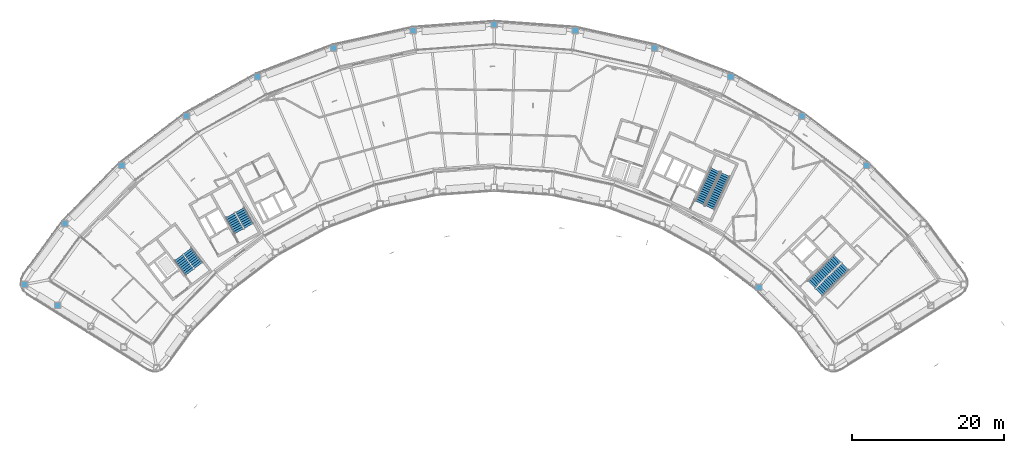
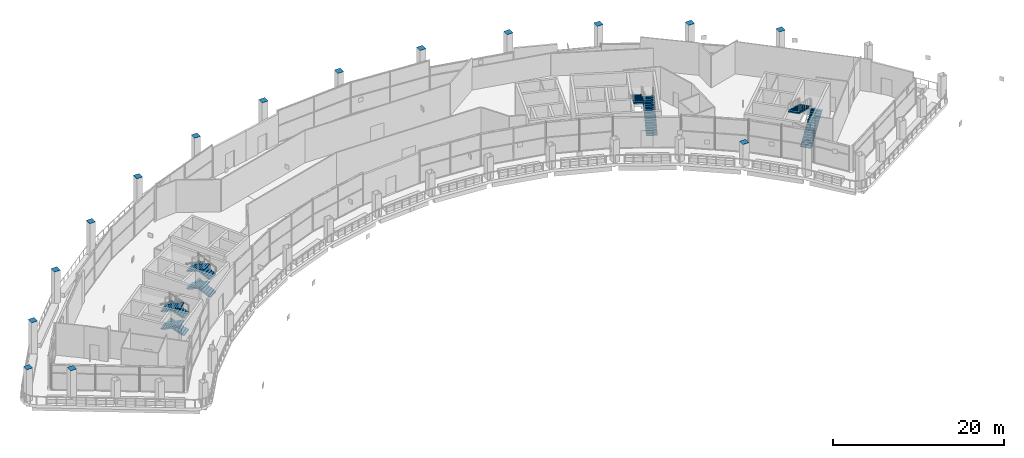
# One storey, part 20 of 29: 15 discrete accessories, 12 stair flights, 4 elements without a shape of their own.
"""IFC4 building model written with IfcOpenShell, lengths in metres."""

import ifcopenshell
import ifcopenshell.guid

model = None  # the IFC model being written
_history = None  # IfcOwnerHistory: only IFC2X3 demands one
_inside = {}  # id of a spatial element -> (the spatial element, [elements in it])
_under = {}  # id of a project, library or spatial element -> (it, [spatial elements below it])
_declared = {}  # id of a project -> (the project, [libraries it declares])
_typed = {}  # id of a type object -> (the type object, [elements of that type])
_made_of = {}  # id of a material, layer set ... -> (it, [elements and type objects made of it])


def new_model(schema):
    """Start an empty IFC model of exactly this schema.

    Asked for "IFC4X3", IfcOpenShell would pick the latest addendum, in which some entities
    have other attributes; the version numbers below select the first issue.
    IFC2X3 requires an IfcOwnerHistory on every rooted entity: one is made here for all.
    """
    global model, _history
    if schema == "IFC4X3":
        model = ifcopenshell.file(schema_version=(4, 3, 0, 0))
    else:
        model = ifcopenshell.file(schema=schema)
    _inside.clear()
    _under.clear()
    _declared.clear()
    _typed.clear()
    _made_of.clear()
    _history = None
    if model.schema == "IFC2X3":
        org = make("IfcOrganization", Name="unknown")
        user = make(
            "IfcPersonAndOrganization",
            ThePerson=make("IfcPerson", FamilyName="unknown"),
            TheOrganization=org,
        )
        app = make(
            "IfcApplication",
            ApplicationDeveloper=org,
            Version="unknown",
            ApplicationFullName="unknown",
            ApplicationIdentifier="unknown",
        )
        _history = make(
            "IfcOwnerHistory",
            OwningUser=user,
            OwningApplication=app,
            ChangeAction="ADDED",
            CreationDate=0,
        )
    return model


def make(cls, **values):
    """One entity of the class cls with the attributes given. An attribute that is None is left unset."""
    return model.create_entity(
        cls, **{name: value for name, value in values.items() if value is not None}
    )


def rooted(cls, **values):
    """An entity with a GlobalId (a new one), such as an element, a storey or a relation."""
    return make(cls, GlobalId=ifcopenshell.guid.new(), OwnerHistory=_history, **values)


def si_unit(unit_type, name, prefix=None):
    """IfcSIUnit, for example si_unit("LENGTHUNIT", "METRE", prefix="MILLI")."""
    return make("IfcSIUnit", UnitType=unit_type, Prefix=prefix, Name=name)


def assignment(units):
    """IfcUnitAssignment: the units of a project."""
    return None if units is None else make("IfcUnitAssignment", Units=units)


def point(xyz):
    """IfcCartesianPoint."""
    return None if xyz is None else make("IfcCartesianPoint", Coordinates=xyz)


def direction(xyz):
    """IfcDirection."""
    return None if xyz is None else make("IfcDirection", DirectionRatios=xyz)


def frame(location, z_axis=None, x_axis=None):
    """IfcAxis2Placement3D, a coordinate frame: its origin and axes. An axis left out is left unset."""
    return make(
        "IfcAxis2Placement3D",
        Location=point(location),
        Axis=direction(z_axis),
        RefDirection=direction(x_axis),
    )


def frame_2d(location, x_axis=None):
    """IfcAxis2Placement2D, a coordinate frame in the plane: its origin and x axis."""
    return make(
        "IfcAxis2Placement2D", Location=point(location), RefDirection=direction(x_axis)
    )


def origin():
    """The frame at (0, 0, 0) with its axes left unset."""
    return frame((0.0, 0.0, 0.0))


def origin_2d():
    """The frame at (0, 0) in the plane with its x axis left unset."""
    return frame_2d((0.0, 0.0))


def place(relative_to, where):
    """IfcLocalPlacement: puts the frame where relative to a parent placement (None: the world)."""
    return make(
        "IfcLocalPlacement", PlacementRelTo=relative_to, RelativePlacement=where
    )


def context(
    kind, dimensions, precision=None, world=None, true_north=None, identifier=None
):
    """IfcGeometricRepresentationContext, for example the 3D "Model" context."""
    return make(
        "IfcGeometricRepresentationContext",
        ContextIdentifier=identifier,
        ContextType=kind,
        CoordinateSpaceDimension=dimensions,
        Precision=precision,
        WorldCoordinateSystem=world,
        TrueNorth=true_north,
    )


def subcontext(parent, identifier, kind, view, scale=None):
    """IfcGeometricRepresentationSubContext, for example "Body" below "Model"."""
    return make(
        "IfcGeometricRepresentationSubContext",
        ContextIdentifier=identifier,
        ContextType=kind,
        ParentContext=parent,
        TargetScale=scale,
        TargetView=view,
    )


def project(units=None, contexts=None):
    """IfcProject with its units and contexts."""
    return rooted(
        "IfcProject",
        Name="project",
        RepresentationContexts=contexts,
        UnitsInContext=assignment(units),
    )


def spatial(cls, under=None, at=None, **own):
    """A site, building, storey or space (cls), placed at a placement, below another one or the project."""
    s = rooted(cls, ObjectPlacement=at, **own)
    if under is not None:
        _under.setdefault(under.id(), (under, []))[1].append(s)
    return s


def polyline(points):
    """IfcPolyline through the points."""
    return make("IfcPolyline", Points=[point(p) for p in points])


def profile(cls, at=None, kind="AREA", **sizes):
    """A parametric profile (cls). Its sizes go by their IFC names, for example OverallWidth=200.0."""
    return make(cls, ProfileType=kind, Position=at, **sizes)


def rectangle(**sizes):
    """IfcRectangleProfileDef."""
    return profile("IfcRectangleProfileDef", **sizes)


def outline(outer, holes=None, kind="AREA"):
    """IfcArbitraryClosedProfileDef: a profile drawn as a closed curve; with holes, ...WithVoids."""
    if holes is None:
        return make("IfcArbitraryClosedProfileDef", ProfileType=kind, OuterCurve=outer)
    return make(
        "IfcArbitraryProfileDefWithVoids",
        ProfileType=kind,
        OuterCurve=outer,
        InnerCurves=holes,
    )


def extrude(swept, where, along, depth):
    """IfcExtrudedAreaSolid: the profile swept, set in the frame where, extruded along a direction by depth."""
    return make(
        "IfcExtrudedAreaSolid",
        SweptArea=swept,
        Position=where,
        ExtrudedDirection=direction(along),
        Depth=depth,
    )


def shape(context_of_items, identifier, shape_type, items):
    """IfcShapeRepresentation: the items that make up one representation, for example the "Body"."""
    return make(
        "IfcShapeRepresentation",
        ContextOfItems=context_of_items,
        RepresentationIdentifier=identifier,
        RepresentationType=shape_type,
        Items=items,
    )


def material(Name=None, Category=None):
    """IfcMaterial."""
    return make("IfcMaterial", Name=Name, Category=Category)


def made_of(thing, what):
    """Note that an element or type object is made of a material, layer set ...; save() writes the relation."""
    if what is not None:
        _made_of.setdefault(what.id(), (what, []))[1].append(thing)
    return thing


def type_object(cls, material=None, **own):
    """A type object (cls), such as IfcWallType, which elements share."""
    return made_of(rooted(cls, **own), material)


def element(
    cls,
    number,
    at=None,
    inside=None,
    cuts=None,
    type_object=None,
    material=None,
    context=None,
    identifier="Body",
    shape_type=None,
    held_by="IfcProductDefinitionShape",
    body=None,
    shapes=None,
    **own,
):
    """One element of the class cls, such as IfcWall. Its Tag is "e" and its number.

    at: its placement. inside: the storey or other place that contains it. cuts: it is an
    opening in that element (IfcRelVoidsElement). A single representation is given by context,
    identifier, shape_type and body (its items); several are given by shapes. held_by: the class
    of the entity that holds the representations. save() writes the other relations.
    """
    e = rooted(cls, Tag="e%d" % number, ObjectPlacement=at, **own)
    if body is not None:
        shapes = [shape(context, identifier, shape_type, body)]
    if shapes is not None:
        e.Representation = make(held_by, Representations=shapes)
    if inside is not None:
        _inside.setdefault(inside.id(), (inside, []))[1].append(e)
    if cuts is not None:
        rooted(
            "IfcRelVoidsElement", RelatingBuildingElement=cuts, RelatedOpeningElement=e
        )
    if type_object is not None:
        _typed.setdefault(type_object.id(), (type_object, []))[1].append(e)
    return made_of(e, material)


def aggregate(whole, parts):
    """IfcRelAggregates: a whole, such as a stair, and the parts it consists of."""
    return rooted("IfcRelAggregates", RelatingObject=whole, RelatedObjects=parts)


def save(model, path):
    """Write the relations noted so far, then the file.

    IfcRelAggregates (storeys below a building ...), IfcRelContainedInSpatialStructure (elements
    in a storey), IfcRelDefinesByType, IfcRelAssociatesMaterial and IfcRelDeclares: one each for
    every whole, place, type object, material and project.
    """
    for whole, parts in _under.values():
        aggregate(whole, parts)
    for where, things in _inside.values():
        rooted(
            "IfcRelContainedInSpatialStructure",
            RelatedElements=things,
            RelatingStructure=where,
        )
    for kind, things in _typed.values():
        rooted("IfcRelDefinesByType", RelatedObjects=things, RelatingType=kind)
    for what, things in _made_of.values():
        rooted("IfcRelAssociatesMaterial", RelatedObjects=things, RelatingMaterial=what)
    for by, libraries in _declared.values():
        rooted("IfcRelDeclares", RelatingContext=by, RelatedDefinitions=libraries)
    model.write(path)


model = new_model("IFC4")

# Units and contexts
model_context = context("Model", 3, precision=1e-05, world=origin(), true_north=direction((0.0, 1.0)))
body_context = subcontext(model_context, "Body", "Model", "MODEL_VIEW")
ifc_project = project(units=[si_unit("LENGTHUNIT", "METRE"), si_unit("AREAUNIT", "SQUARE_METRE"), si_unit("VOLUMEUNIT", "CUBIC_METRE"), si_unit("PLANEANGLEUNIT", "RADIAN"), si_unit("MASSUNIT", "GRAM", prefix="KILO")], contexts=[model_context])

# Site, building, storey
site_placement = place(None, origin())
site = spatial("IfcSite", under=ifc_project, at=site_placement, CompositionType="ELEMENT")
building_placement = place(site_placement, origin())
building = spatial("IfcBuilding", under=site, at=building_placement, Name="Tuul Gate Civic Tower", CompositionType="ELEMENT")
storey_placement = place(building_placement, frame((0.0, 0.0, 238.89990234375)))
storey = spatial("IfcBuildingStorey", under=building, at=storey_placement, Name="Sky garden level 2", CompositionType="ELEMENT", Elevation=238.89990234375)

# Stair, stair flights
ifc_material_1 = material(Name="Concrete C40/50", Category="concrete")
stair_type = type_object("IfcStairType", Name="Exit stair", PredefinedType="HALF_TURN_STAIR", material=ifc_material_1)
stair_1_placement = place(storey_placement, origin())
stair_1 = element("IfcStair", 1, at=stair_1_placement, inside=storey, type_object=stair_type, Name="Sky garden level 2 ST-1", PredefinedType="HALF_TURN_STAIR")
ifc_material_2 = material(Name="Concrete C40/50", Category="concrete")
stair_flight_type = type_object("IfcStairFlightType", Name="Exit stair flight", PredefinedType="STRAIGHT", material=ifc_material_2)
stair_flight_1_placement = place(storey_placement, frame((-32.875244140625, -13.066650390625, 0.0), z_axis=(0.0, 0.0, 1.0), x_axis=(-0.605764474941, 0.795644016442, 0.0)))
stair_flight_1 = element("IfcStairFlight", 2, at=stair_flight_1_placement, type_object=stair_flight_type, Name="ST-1 flight 1", NumberOfRisers=9, NumberOfTreads=8, PredefinedType="STRAIGHT", RiserHeight=0.138888889, TreadLength=0.3, context=body_context, shape_type="SweptSolid", body=[
    extrude(outline(polyline([(0.0, 0.0), (0.0, 0.138916015625), (0.300048828125, 0.138916015625), (0.300048828125, 0.27783203125), (0.60009765625, 0.27783203125), (0.60009765625, 0.416748046875), (0.89990234375, 0.416748046875), (0.89990234375, 0.5556640625), (1.199951171875, 0.5556640625), (1.199951171875, 0.6943359375), (1.5, 0.6943359375), (1.5, 0.833251953125), (1.800048828125, 0.833251953125), (1.800048828125, 0.97216796875), (2.10009765625, 0.97216796875), (2.10009765625, 1.111083984375), (2.39990234375, 1.111083984375), (2.39990234375, 1.25), (2.39990234375, 0.946044921875), (0.356689453125, 0.0), (0.0, 0.0)])), frame((0.0, 0.675048828125, 0.0), z_axis=(0.0, -1.0, 0.0), x_axis=(1.0, 0.0, 0.0)), (0.0, 0.0, 1.0), 1.35009765625),
])
stair_flight_2_placement = place(storey_placement, frame((-35.482666015625, -12.03564453125, 1.25), z_axis=(0.0, 0.0, 1.0), x_axis=(0.605764474941, -0.795644016442, 0.0)))
stair_flight_2 = element("IfcStairFlight", 3, at=stair_flight_2_placement, type_object=stair_flight_type, Name="ST-1 flight 2", NumberOfRisers=9, NumberOfTreads=8, PredefinedType="STRAIGHT", RiserHeight=0.138888889, TreadLength=0.3, context=body_context, shape_type="SweptSolid", body=[
    extrude(outline(polyline([(0.0, 0.0), (0.0, 0.138916015625), (0.300048828125, 0.138916015625), (0.300048828125, 0.27783203125), (0.60009765625, 0.27783203125), (0.60009765625, 0.416748046875), (0.89990234375, 0.416748046875), (0.89990234375, 0.5556640625), (1.199951171875, 0.5556640625), (1.199951171875, 0.6943359375), (1.5, 0.6943359375), (1.5, 0.833251953125), (1.800048828125, 0.833251953125), (1.800048828125, 0.97216796875), (2.10009765625, 0.97216796875), (2.10009765625, 1.111083984375), (2.39990234375, 1.111083984375), (2.39990234375, 1.25), (2.39990234375, 0.946044921875), (0.356689453125, 0.0), (0.0, 0.0)])), frame((0.0, 0.675048828125, 0.0), z_axis=(0.0, -1.0, 0.0), x_axis=(1.0, 0.0, 0.0)), (0.0, 0.0, 1.0), 1.35009765625),
])
stair_flight_3_placement = place(storey_placement, frame((-32.875244140625, -13.066650390625, 2.5), z_axis=(0.0, 0.0, 1.0), x_axis=(-0.605764474941, 0.795644016442, 0.0)))
stair_flight_3 = element("IfcStairFlight", 4, at=stair_flight_3_placement, type_object=stair_flight_type, Name="ST-1 flight 3", NumberOfRisers=9, NumberOfTreads=8, PredefinedType="STRAIGHT", RiserHeight=0.138888889, TreadLength=0.3, context=body_context, shape_type="SweptSolid", body=[
    extrude(outline(polyline([(0.0, 0.0), (0.0, 0.138916015625), (0.300048828125, 0.138916015625), (0.300048828125, 0.27783203125), (0.60009765625, 0.27783203125), (0.60009765625, 0.416748046875), (0.89990234375, 0.416748046875), (0.89990234375, 0.5556640625), (1.199951171875, 0.5556640625), (1.199951171875, 0.6943359375), (1.5, 0.6943359375), (1.5, 0.833251953125), (1.800048828125, 0.833251953125), (1.800048828125, 0.97216796875), (2.10009765625, 0.97216796875), (2.10009765625, 1.111083984375), (2.39990234375, 1.111083984375), (2.39990234375, 1.25), (2.39990234375, 0.946044921875), (0.356689453125, 0.0), (0.0, 0.0)])), frame((0.0, 0.675048828125, 0.0), z_axis=(0.0, -1.0, 0.0), x_axis=(1.0, 0.0, 0.0)), (0.0, 0.0, 1.0), 1.35009765625),
])
stair_flight_4_placement = place(storey_placement, frame((-35.482666015625, -12.03564453125, 3.75), z_axis=(0.0, 0.0, 1.0), x_axis=(0.605764474941, -0.795644016442, 0.0)))
stair_flight_4 = element("IfcStairFlight", 5, at=stair_flight_4_placement, type_object=stair_flight_type, Name="ST-1 flight 4", NumberOfRisers=9, NumberOfTreads=8, PredefinedType="STRAIGHT", RiserHeight=0.138888889, TreadLength=0.3, context=body_context, shape_type="SweptSolid", body=[
    extrude(outline(polyline([(0.0, 0.0), (0.0, 0.138916015625), (0.300048828125, 0.138916015625), (0.300048828125, 0.27783203125), (0.60009765625, 0.27783203125), (0.60009765625, 0.416748046875), (0.89990234375, 0.416748046875), (0.89990234375, 0.5556640625), (1.199951171875, 0.5556640625), (1.199951171875, 0.6943359375), (1.5, 0.6943359375), (1.5, 0.833251953125), (1.800048828125, 0.833251953125), (1.800048828125, 0.97216796875), (2.10009765625, 0.97216796875), (2.10009765625, 1.111083984375), (2.39990234375, 1.111083984375), (2.39990234375, 1.25), (2.39990234375, 0.946044921875), (0.356689453125, 0.0), (0.0, 0.0)])), frame((0.0, 0.675048828125, 0.0), z_axis=(0.0, -1.0, 0.0), x_axis=(1.0, 0.0, 0.0)), (0.0, 0.0, 1.0), 1.35009765625),
])
aggregate(stair_1, [stair_flight_1, stair_flight_2, stair_flight_3, stair_flight_4])

stair_2_placement = place(storey_placement, origin())
stair_2 = element("IfcStair", 6, at=stair_2_placement, inside=storey, type_object=stair_type, Name="Sky garden level 2 ST-2", PredefinedType="HALF_TURN_STAIR")
stair_flight_5_placement = place(storey_placement, frame((-26.29150390625, -7.87646484375, 0.0), z_axis=(0.0, 0.0, 1.0), x_axis=(-0.484761763766, 0.874646232708, 0.0)))
stair_flight_5 = element("IfcStairFlight", 7, at=stair_flight_5_placement, type_object=stair_flight_type, Name="ST-2 flight 1", NumberOfRisers=9, NumberOfTreads=8, PredefinedType="STRAIGHT", RiserHeight=0.138888889, TreadLength=0.3, context=body_context, shape_type="SweptSolid", body=[
    extrude(outline(polyline([(0.0, 0.0), (0.0, 0.138916015625), (0.300048828125, 0.138916015625), (0.300048828125, 0.27783203125), (0.60009765625, 0.27783203125), (0.60009765625, 0.416748046875), (0.89990234375, 0.416748046875), (0.89990234375, 0.5556640625), (1.199951171875, 0.5556640625), (1.199951171875, 0.6943359375), (1.5, 0.6943359375), (1.5, 0.833251953125), (1.800048828125, 0.833251953125), (1.800048828125, 0.97216796875), (2.10009765625, 0.97216796875), (2.10009765625, 1.111083984375), (2.39990234375, 1.111083984375), (2.39990234375, 1.25), (2.39990234375, 0.946044921875), (0.356689453125, 0.0), (0.0, 0.0)])), frame((0.0, 0.675048828125, 0.0), z_axis=(0.0, -1.0, 0.0), x_axis=(1.0, 0.0, 0.0)), (0.0, 0.0, 1.0), 1.35009765625),
])
stair_flight_6_placement = place(storey_placement, frame((-28.723388671875, -6.480224609375, 1.25), z_axis=(0.0, 0.0, 1.0), x_axis=(0.484761763766, -0.874646232708, 0.0)))
stair_flight_6 = element("IfcStairFlight", 8, at=stair_flight_6_placement, type_object=stair_flight_type, Name="ST-2 flight 2", NumberOfRisers=9, NumberOfTreads=8, PredefinedType="STRAIGHT", RiserHeight=0.138888889, TreadLength=0.3, context=body_context, shape_type="SweptSolid", body=[
    extrude(outline(polyline([(0.0, 0.0), (0.0, 0.138916015625), (0.300048828125, 0.138916015625), (0.300048828125, 0.27783203125), (0.60009765625, 0.27783203125), (0.60009765625, 0.416748046875), (0.89990234375, 0.416748046875), (0.89990234375, 0.5556640625), (1.199951171875, 0.5556640625), (1.199951171875, 0.6943359375), (1.5, 0.6943359375), (1.5, 0.833251953125), (1.800048828125, 0.833251953125), (1.800048828125, 0.97216796875), (2.10009765625, 0.97216796875), (2.10009765625, 1.111083984375), (2.39990234375, 1.111083984375), (2.39990234375, 1.25), (2.39990234375, 0.946044921875), (0.356689453125, 0.0), (0.0, 0.0)])), frame((0.0, 0.675048828125, 0.0), z_axis=(0.0, -1.0, 0.0), x_axis=(1.0, 0.0, 0.0)), (0.0, 0.0, 1.0), 1.35009765625),
])
stair_flight_7_placement = place(storey_placement, frame((-26.29150390625, -7.87646484375, 2.5), z_axis=(0.0, 0.0, 1.0), x_axis=(-0.484761763766, 0.874646232708, 0.0)))
stair_flight_7 = element("IfcStairFlight", 9, at=stair_flight_7_placement, type_object=stair_flight_type, Name="ST-2 flight 3", NumberOfRisers=9, NumberOfTreads=8, PredefinedType="STRAIGHT", RiserHeight=0.138888889, TreadLength=0.3, context=body_context, shape_type="SweptSolid", body=[
    extrude(outline(polyline([(0.0, 0.0), (0.0, 0.138916015625), (0.300048828125, 0.138916015625), (0.300048828125, 0.27783203125), (0.60009765625, 0.27783203125), (0.60009765625, 0.416748046875), (0.89990234375, 0.416748046875), (0.89990234375, 0.5556640625), (1.199951171875, 0.5556640625), (1.199951171875, 0.6943359375), (1.5, 0.6943359375), (1.5, 0.833251953125), (1.800048828125, 0.833251953125), (1.800048828125, 0.97216796875), (2.10009765625, 0.97216796875), (2.10009765625, 1.111083984375), (2.39990234375, 1.111083984375), (2.39990234375, 1.25), (2.39990234375, 0.946044921875), (0.356689453125, 0.0), (0.0, 0.0)])), frame((0.0, 0.675048828125, 0.0), z_axis=(0.0, -1.0, 0.0), x_axis=(1.0, 0.0, 0.0)), (0.0, 0.0, 1.0), 1.35009765625),
])
stair_flight_8_placement = place(storey_placement, frame((-28.723388671875, -6.480224609375, 3.75), z_axis=(0.0, 0.0, 1.0), x_axis=(0.484761763766, -0.874646232708, 0.0)))
stair_flight_8 = element("IfcStairFlight", 10, at=stair_flight_8_placement, type_object=stair_flight_type, Name="ST-2 flight 4", NumberOfRisers=9, NumberOfTreads=8, PredefinedType="STRAIGHT", RiserHeight=0.138888889, TreadLength=0.3, context=body_context, shape_type="SweptSolid", body=[
    extrude(outline(polyline([(0.0, 0.0), (0.0, 0.138916015625), (0.300048828125, 0.138916015625), (0.300048828125, 0.27783203125), (0.60009765625, 0.27783203125), (0.60009765625, 0.416748046875), (0.89990234375, 0.416748046875), (0.89990234375, 0.5556640625), (1.199951171875, 0.5556640625), (1.199951171875, 0.6943359375), (1.5, 0.6943359375), (1.5, 0.833251953125), (1.800048828125, 0.833251953125), (1.800048828125, 0.97216796875), (2.10009765625, 0.97216796875), (2.10009765625, 1.111083984375), (2.39990234375, 1.111083984375), (2.39990234375, 1.25), (2.39990234375, 0.946044921875), (0.356689453125, 0.0), (0.0, 0.0)])), frame((0.0, 0.675048828125, 0.0), z_axis=(0.0, -1.0, 0.0), x_axis=(1.0, 0.0, 0.0)), (0.0, 0.0, 1.0), 1.35009765625),
])
aggregate(stair_2, [stair_flight_5, stair_flight_6, stair_flight_7, stair_flight_8])

stair_3_placement = place(storey_placement, origin())
stair_3 = element("IfcStair", 11, at=stair_3_placement, inside=storey, type_object=stair_type, Name="Sky garden level 2 ST-3", PredefinedType="HALF_TURN_STAIR")
stair_flight_9_placement = place(storey_placement, frame((48.61376953125, -16.581787109375, 0.0), z_axis=(0.0, 0.0, 1.0), x_axis=(0.714127290059, 0.700015866672, 0.0)))
stair_flight_9 = element("IfcStairFlight", 12, at=stair_flight_9_placement, type_object=stair_flight_type, Name="ST-3 flight 1", NumberOfRisers=17, NumberOfTreads=16, PredefinedType="STRAIGHT", RiserHeight=0.147058824, TreadLength=0.3, context=body_context, shape_type="SweptSolid", body=[
    extrude(outline(polyline([(0.0, 0.0), (0.0, 0.14697265625), (0.300048828125, 0.14697265625), (0.300048828125, 0.294189453125), (0.60009765625, 0.294189453125), (0.60009765625, 0.441162109375), (0.89990234375, 0.441162109375), (0.89990234375, 0.588134765625), (1.199951171875, 0.588134765625), (1.199951171875, 0.7353515625), (1.5, 0.7353515625), (1.5, 0.88232421875), (1.800048828125, 0.88232421875), (1.800048828125, 1.029296875), (2.10009765625, 1.029296875), (2.10009765625, 1.176513671875), (2.39990234375, 1.176513671875), (2.39990234375, 1.323486328125), (2.699951171875, 1.323486328125), (2.699951171875, 1.470703125), (3.0, 1.470703125), (3.0, 1.61767578125), (3.300048828125, 1.61767578125), (3.300048828125, 1.7646484375), (3.60009765625, 1.7646484375), (3.60009765625, 1.911865234375), (3.89990234375, 1.911865234375), (3.89990234375, 2.058837890625), (4.199951171875, 2.058837890625), (4.199951171875, 2.205810546875), (4.5, 2.205810546875), (4.5, 2.35302734375), (4.800048828125, 2.35302734375), (4.800048828125, 2.5), (4.800048828125, 2.18603515625), (0.340576171875, 0.0), (0.0, 0.0)])), frame((0.0, 0.675048828125, 0.0), z_axis=(0.0, -1.0, 0.0), x_axis=(1.0, 0.0, 0.0)), (0.0, 0.0, 1.0), 1.35009765625),
])
stair_flight_10_placement = place(storey_placement, frame((51.026611328125, -12.186279296875, 2.5), z_axis=(0.0, 0.0, 1.0), x_axis=(-0.714127290059, -0.700015866672, 0.0)))
stair_flight_10 = element("IfcStairFlight", 13, at=stair_flight_10_placement, type_object=stair_flight_type, Name="ST-3 flight 2", NumberOfRisers=17, NumberOfTreads=16, PredefinedType="STRAIGHT", RiserHeight=0.147058824, TreadLength=0.3, context=body_context, shape_type="SweptSolid", body=[
    extrude(outline(polyline([(0.0, 0.0), (0.0, 0.14697265625), (0.300048828125, 0.14697265625), (0.300048828125, 0.294189453125), (0.60009765625, 0.294189453125), (0.60009765625, 0.441162109375), (0.89990234375, 0.441162109375), (0.89990234375, 0.588134765625), (1.199951171875, 0.588134765625), (1.199951171875, 0.7353515625), (1.5, 0.7353515625), (1.5, 0.88232421875), (1.800048828125, 0.88232421875), (1.800048828125, 1.029296875), (2.10009765625, 1.029296875), (2.10009765625, 1.176513671875), (2.39990234375, 1.176513671875), (2.39990234375, 1.323486328125), (2.699951171875, 1.323486328125), (2.699951171875, 1.470703125), (3.0, 1.470703125), (3.0, 1.61767578125), (3.300048828125, 1.61767578125), (3.300048828125, 1.7646484375), (3.60009765625, 1.7646484375), (3.60009765625, 1.911865234375), (3.89990234375, 1.911865234375), (3.89990234375, 2.058837890625), (4.199951171875, 2.058837890625), (4.199951171875, 2.205810546875), (4.5, 2.205810546875), (4.5, 2.35302734375), (4.800048828125, 2.35302734375), (4.800048828125, 2.5), (4.800048828125, 2.18603515625), (0.340576171875, 0.0), (0.0, 0.0)])), frame((0.0, 0.675048828125, 0.0), z_axis=(0.0, -1.0, 0.0), x_axis=(1.0, 0.0, 0.0)), (0.0, 0.0, 1.0), 1.35009765625),
])
aggregate(stair_3, [stair_flight_9, stair_flight_10])

stair_4_placement = place(storey_placement, origin())
stair_4 = element("IfcStair", 14, at=stair_4_placement, inside=storey, type_object=stair_type, Name="Sky garden level 2 ST-4", PredefinedType="HALF_TURN_STAIR")
stair_flight_11_placement = place(storey_placement, frame((34.278564453125, -5.478515625, 0.0), z_axis=(0.0, 0.0, 1.0), x_axis=(0.422576295988, 0.906327354806, 0.0)))
stair_flight_11 = element("IfcStairFlight", 15, at=stair_flight_11_placement, type_object=stair_flight_type, Name="ST-4 flight 1", NumberOfRisers=17, NumberOfTreads=16, PredefinedType="STRAIGHT", RiserHeight=0.147058824, TreadLength=0.3, context=body_context, shape_type="SweptSolid", body=[
    extrude(outline(polyline([(0.0, 0.0), (0.0, 0.14697265625), (0.300048828125, 0.14697265625), (0.300048828125, 0.294189453125), (0.60009765625, 0.294189453125), (0.60009765625, 0.441162109375), (0.89990234375, 0.441162109375), (0.89990234375, 0.588134765625), (1.199951171875, 0.588134765625), (1.199951171875, 0.7353515625), (1.5, 0.7353515625), (1.5, 0.88232421875), (1.800048828125, 0.88232421875), (1.800048828125, 1.029296875), (2.10009765625, 1.029296875), (2.10009765625, 1.176513671875), (2.39990234375, 1.176513671875), (2.39990234375, 1.323486328125), (2.699951171875, 1.323486328125), (2.699951171875, 1.470703125), (3.0, 1.470703125), (3.0, 1.61767578125), (3.300048828125, 1.61767578125), (3.300048828125, 1.7646484375), (3.60009765625, 1.7646484375), (3.60009765625, 1.911865234375), (3.89990234375, 1.911865234375), (3.89990234375, 2.058837890625), (4.199951171875, 2.058837890625), (4.199951171875, 2.205810546875), (4.5, 2.205810546875), (4.5, 2.35302734375), (4.800048828125, 2.35302734375), (4.800048828125, 2.5), (4.800048828125, 2.18603515625), (0.340576171875, 0.0), (0.0, 0.0)])), frame((0.0, 0.675048828125, 0.0), z_axis=(0.0, -1.0, 0.0), x_axis=(1.0, 0.0, 0.0)), (0.0, 0.0, 1.0), 1.35009765625),
])
stair_flight_12_placement = place(storey_placement, frame((34.992919921875, -0.515380859375, 2.5), z_axis=(0.0, 0.0, 1.0), x_axis=(-0.422576295988, -0.906327354806, 0.0)))
stair_flight_12 = element("IfcStairFlight", 16, at=stair_flight_12_placement, type_object=stair_flight_type, Name="ST-4 flight 2", NumberOfRisers=17, NumberOfTreads=16, PredefinedType="STRAIGHT", RiserHeight=0.147058824, TreadLength=0.3, context=body_context, shape_type="SweptSolid", body=[
    extrude(outline(polyline([(0.0, 0.0), (0.0, 0.14697265625), (0.300048828125, 0.14697265625), (0.300048828125, 0.294189453125), (0.60009765625, 0.294189453125), (0.60009765625, 0.441162109375), (0.89990234375, 0.441162109375), (0.89990234375, 0.588134765625), (1.199951171875, 0.588134765625), (1.199951171875, 0.7353515625), (1.5, 0.7353515625), (1.5, 0.88232421875), (1.800048828125, 0.88232421875), (1.800048828125, 1.029296875), (2.10009765625, 1.029296875), (2.10009765625, 1.176513671875), (2.39990234375, 1.176513671875), (2.39990234375, 1.323486328125), (2.699951171875, 1.323486328125), (2.699951171875, 1.470703125), (3.0, 1.470703125), (3.0, 1.61767578125), (3.300048828125, 1.61767578125), (3.300048828125, 1.7646484375), (3.60009765625, 1.7646484375), (3.60009765625, 1.911865234375), (3.89990234375, 1.911865234375), (3.89990234375, 2.058837890625), (4.199951171875, 2.058837890625), (4.199951171875, 2.205810546875), (4.5, 2.205810546875), (4.5, 2.35302734375), (4.800048828125, 2.35302734375), (4.800048828125, 2.5), (4.800048828125, 2.18603515625), (0.340576171875, 0.0), (0.0, 0.0)])), frame((0.0, 0.675048828125, 0.0), z_axis=(0.0, -1.0, 0.0), x_axis=(1.0, 0.0, 0.0)), (0.0, 0.0, 1.0), 1.35009765625),
])
aggregate(stair_4, [stair_flight_11, stair_flight_12])

# Discrete accessories
ifc_material_3 = material(Name="Steel S355", Category="steel")
discrete_accessory_type = type_object("IfcDiscreteAccessoryType", Name="End cap plate", PredefinedType="BRACKET", material=ifc_material_3)
for number, where, z_axis, x_axis, name in (
    (17, (54.8369140625, 0.074951171875, 4.60009765625), (0.0, 0.0, 1.0), (1.0, 0.0, 0.0), "End cap plate"),
    (18, (46.342041015625, 6.54296875, 4.60009765625), (0.0, 0.0, 1.0), (1.0, 0.0, 0.0), "End cap plate"),
    (19, (37.0029296875, 11.718994140625, 4.60009765625), (0.0, 0.0, 1.0), (1.0, 0.0, 0.0), "End cap plate"),
    (20, (27.01611328125, 15.49609375, 4.60009765625), (0.0, 0.0, 1.0), (1.0, 0.0, 0.0), "End cap plate"),
    (21, (16.589111328125, 17.7939453125, 4.60009765625), (0.0, 0.0, 1.0), (1.0, 0.0, 0.0), "End cap plate"),
    (22, (5.93994140625, 18.56494140625, 4.60009765625), (0.0, 0.0, 1.0), (1.0, 0.0, 0.0), "End cap plate"),
    (23, (-4.7099609375, 17.7939453125, 4.60009765625), (0.0, 0.0, 1.0), (1.0, 0.0, 0.0), "End cap plate"),
    (24, (-15.136962890625, 15.49609375, 4.60009765625), (0.0, 0.0, 1.0), (1.0, 0.0, 0.0), "End cap plate"),
    (25, (-25.1240234375, 11.718994140625, 4.60009765625), (0.0, 0.0, 1.0), (1.0, 0.0, 0.0), "End cap plate"),
    (26, (-34.462890625, 6.54296875, 4.60009765625), (0.0, 0.0, 1.0), (1.0, 0.0, 0.0), "End cap plate"),
    (27, (-42.9580078125, 0.074951171875, 4.60009765625), (0.0, 0.0, 1.0), (1.0, 0.0, 0.0), "End cap plate"),
    (28, (-50.431884765625, -7.550048828125, 4.60009765625), (0.0, 0.0, 1.0), (1.0, 0.0, 0.0), "End cap plate"),
    (29, (-55.73095703125, -15.56298828125, 4.60009765625), (0.0, 0.0, 1.0), (1.0, 0.0, 0.0), "End cap plate"),
    (30, (-51.388916015625, -18.297119140625, 4.60009765625), (0.0, 0.0, 1.0), (1.0, 0.0, 0.0), "End cap plate"),
    (31, (40.7060546875, -15.93798828125, 3.2001953125), (0.0, 0.0, 1.0), (1.0, 0.0, 0.0), "End cap plate"),
):
    element("IfcDiscreteAccessory", number, at=place(storey_placement, frame(where, z_axis=z_axis, x_axis=x_axis)), inside=storey, type_object=discrete_accessory_type, Name=name, PredefinedType="BRACKET", context=body_context, shape_type="SweptSolid", body=[
        extrude(rectangle(XDim=0.800048828125, YDim=0.800048828125, at=origin_2d()), origin(), (0.0, 0.0, 1.0), 0.030029296875),
    ])

save(model, "model.ifc")
